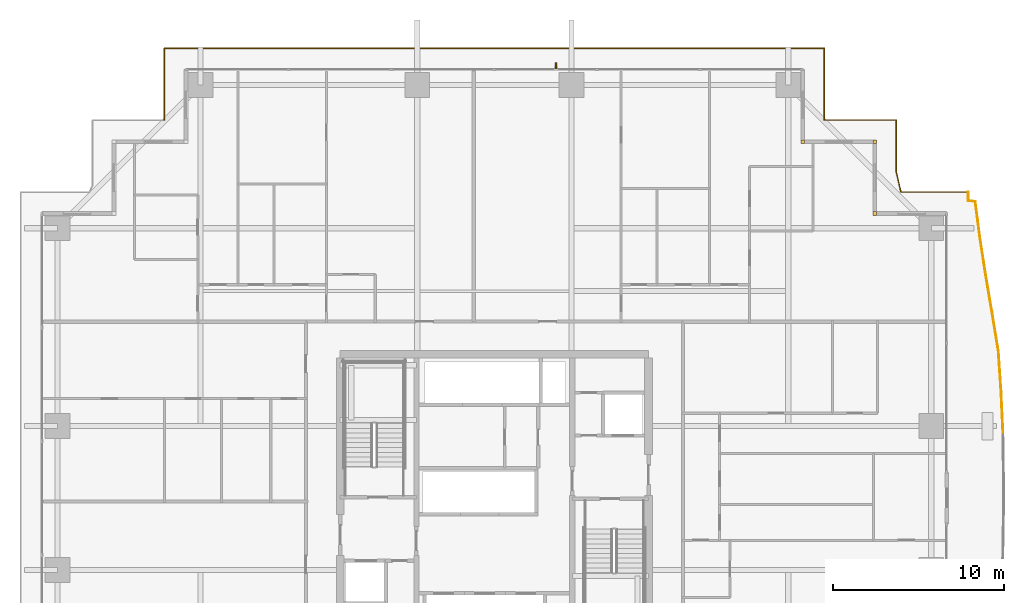
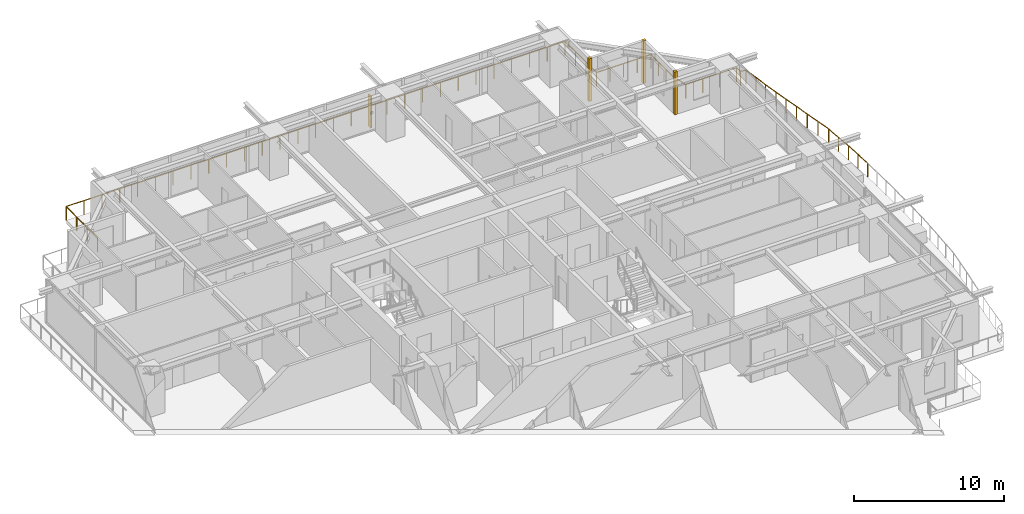
# One storey, part 39 of 39: 3 coverings, 2 railings, 1 shading device.
"""IFC4 building model written with IfcOpenShell, lengths in metres."""

from ifc_helpers import new_model, si_unit, direction, frame, origin, origin_2d, place, context, subcontext, project, spatial, rectangle, circle, extrude, source, transform, mapped, material, layer, layer_set, type_object, element, save


model = new_model("IFC4")

# Units and contexts
model_context = context("Model", 3, precision=1e-05, world=origin(), true_north=direction((0.0, 1.0)))
body_context = subcontext(model_context, "Body", "Model", "MODEL_VIEW")
ifc_project = project(units=[si_unit("LENGTHUNIT", "METRE"), si_unit("AREAUNIT", "SQUARE_METRE"), si_unit("VOLUMEUNIT", "CUBIC_METRE"), si_unit("PLANEANGLEUNIT", "RADIAN"), si_unit("MASSUNIT", "GRAM", prefix="KILO")], contexts=[model_context])

# Site, building, storey
site_placement = place(None, origin())
site = spatial("IfcSite", under=ifc_project, at=site_placement, CompositionType="ELEMENT")
building_placement = place(site_placement, origin())
building = spatial("IfcBuilding", under=site, at=building_placement, Name="Serunith Strait Residences", CompositionType="ELEMENT")
storey_placement = place(building_placement, frame((0.0, 0.0, 64.199951171875)))
storey = spatial("IfcBuildingStorey", under=building, at=storey_placement, Name="L15", CompositionType="ELEMENT", Elevation=64.199951171875)

# Railings
ifc_material_1 = material(Name="Stainless Steel & Laminated Glass Balustrade", Category="steel")
railing_type = type_object("IfcRailingType", Name="RLG-BALC-1150", PredefinedType="BALUSTRADE", material=ifc_material_1)
railing_1_placement = place(storey_placement, frame((13.139892578125, 47.260009765625, -0.050048828125)))
element("IfcRailing", 1, at=railing_1_placement, inside=storey, type_object=railing_type, Name="L15 Swirling Balcony Perimeter Balustrade 2", PredefinedType="BALUSTRADE", context=body_context, shape_type="SweptSolid", body=[
    extrude(circle(Radius=0.02392578125, at=origin_2d()), frame((0.0, 0.001953125, 1.1259765625), z_axis=(0.0, 1.0, 0.0), x_axis=(-1.0, 0.0, 0.0)), (0.0, 0.0, 1.0), 4.196044921875),
    extrude(circle(Radius=0.02392578125, at=origin_2d()), frame((0.001953125, 4.199951171875, 1.1259765625), z_axis=(1.0, 0.0, 0.0), x_axis=(0.0, 1.0, 0.0)), (0.0, 0.0, 1.0), 38.51611328125),
    extrude(circle(Radius=0.02392578125, at=origin_2d()), frame((38.52001953125, 4.197998046875, 1.1259765625), z_axis=(0.0, -1.0, 0.0), x_axis=(1.0, 0.0, 0.0)), (0.0, 0.0, 1.0), 4.196044921875),
    extrude(circle(Radius=0.02392578125, at=origin_2d()), frame((38.52197265625, 0.0, 1.1259765625), z_axis=(1.0, 0.0, 0.0), x_axis=(0.0, 1.0, 0.0)), (0.0, 0.0, 1.0), 4.1962890625),
    extrude(circle(Radius=0.02392578125, at=origin_2d()), frame((42.72021484375, -0.001953125, 1.1259765625), z_axis=(0.0, -1.0, 0.0), x_axis=(1.0, 0.0, 0.0)), (0.0, 0.0, 1.0), 3.022216796875),
    extrude(circle(Radius=0.02392578125, at=origin_2d()), frame((42.720703125, -3.028076171875, 1.1259765625), z_axis=(0.223985974686, -0.974592367682, 0.0), x_axis=(0.974592367682, 0.223985974686, 0.0)), (0.0, 0.0, 1.0), 1.200439453125),
    extrude(circle(Radius=0.02392578125, at=origin_2d()), frame((42.991943359375, -4.199951171875, 1.1259765625), z_axis=(1.0, 0.0, 0.0), x_axis=(0.0, 1.0, 0.0)), (0.0, 0.0, 1.0), 3.92626953125),
    extrude(circle(Radius=0.02099609375, at=origin_2d()), origin(), (0.0, 0.0, 1.0), 1.099853515625),
    extrude(circle(Radius=0.02099609375, at=origin_2d()), frame((0.0, 1.39990234375, 0.0)), (0.0, 0.0, 1.0), 1.099853515625),
    extrude(circle(Radius=0.02099609375, at=origin_2d()), frame((0.0, 2.800048828125, 0.0)), (0.0, 0.0, 1.0), 1.099853515625),
    extrude(circle(Radius=0.02099609375, at=origin_2d()), frame((0.0, 4.199951171875, 0.0)), (0.0, 0.0, 1.0), 1.099853515625),
    extrude(circle(Radius=0.02099609375, at=origin_2d()), frame((1.375732421875, 4.199951171875, 0.0)), (0.0, 0.0, 1.0), 1.099853515625),
    extrude(circle(Radius=0.02099609375, at=origin_2d()), frame((2.75146484375, 4.199951171875, 0.0)), (0.0, 0.0, 1.0), 1.099853515625),
    extrude(circle(Radius=0.02099609375, at=origin_2d()), frame((4.127197265625, 4.199951171875, 0.0)), (0.0, 0.0, 1.0), 1.099853515625),
    extrude(circle(Radius=0.02099609375, at=origin_2d()), frame((5.5029296875, 4.199951171875, 0.0)), (0.0, 0.0, 1.0), 1.099853515625),
    extrude(circle(Radius=0.02099609375, at=origin_2d()), frame((6.878662109375, 4.199951171875, 0.0)), (0.0, 0.0, 1.0), 1.099853515625),
    extrude(circle(Radius=0.02099609375, at=origin_2d()), frame((8.25439453125, 4.199951171875, 0.0)), (0.0, 0.0, 1.0), 1.099853515625),
    extrude(circle(Radius=0.02099609375, at=origin_2d()), frame((9.6298828125, 4.199951171875, 0.0)), (0.0, 0.0, 1.0), 1.099853515625),
    extrude(circle(Radius=0.02099609375, at=origin_2d()), frame((11.005615234375, 4.199951171875, 0.0)), (0.0, 0.0, 1.0), 1.099853515625),
    extrude(circle(Radius=0.02099609375, at=origin_2d()), frame((12.38134765625, 4.199951171875, 0.0)), (0.0, 0.0, 1.0), 1.099853515625),
    extrude(circle(Radius=0.02099609375, at=origin_2d()), frame((13.757080078125, 4.199951171875, 0.0)), (0.0, 0.0, 1.0), 1.099853515625),
    extrude(circle(Radius=0.02099609375, at=origin_2d()), frame((15.1328125, 4.199951171875, 0.0)), (0.0, 0.0, 1.0), 1.099853515625),
    extrude(circle(Radius=0.02099609375, at=origin_2d()), frame((16.508544921875, 4.199951171875, 0.0)), (0.0, 0.0, 1.0), 1.099853515625),
    extrude(circle(Radius=0.02099609375, at=origin_2d()), frame((17.88427734375, 4.199951171875, 0.0)), (0.0, 0.0, 1.0), 1.099853515625),
    extrude(circle(Radius=0.02099609375, at=origin_2d()), frame((19.260009765625, 4.199951171875, 0.0)), (0.0, 0.0, 1.0), 1.099853515625),
    extrude(circle(Radius=0.02099609375, at=origin_2d()), frame((20.6357421875, 4.199951171875, 0.0)), (0.0, 0.0, 1.0), 1.099853515625),
    extrude(circle(Radius=0.02099609375, at=origin_2d()), frame((22.011474609375, 4.199951171875, 0.0)), (0.0, 0.0, 1.0), 1.099853515625),
    extrude(circle(Radius=0.02099609375, at=origin_2d()), frame((23.38720703125, 4.199951171875, 0.0)), (0.0, 0.0, 1.0), 1.099853515625),
    extrude(circle(Radius=0.02099609375, at=origin_2d()), frame((24.762939453125, 4.199951171875, 0.0)), (0.0, 0.0, 1.0), 1.099853515625),
    extrude(circle(Radius=0.02099609375, at=origin_2d()), frame((26.138671875, 4.199951171875, 0.0)), (0.0, 0.0, 1.0), 1.099853515625),
    extrude(circle(Radius=0.02099609375, at=origin_2d()), frame((27.514404296875, 4.199951171875, 0.0)), (0.0, 0.0, 1.0), 1.099853515625),
    extrude(circle(Radius=0.02099609375, at=origin_2d()), frame((28.89013671875, 4.199951171875, 0.0)), (0.0, 0.0, 1.0), 1.099853515625),
    extrude(circle(Radius=0.02099609375, at=origin_2d()), frame((30.265625, 4.199951171875, 0.0)), (0.0, 0.0, 1.0), 1.099853515625),
    extrude(circle(Radius=0.02099609375, at=origin_2d()), frame((31.641357421875, 4.199951171875, 0.0)), (0.0, 0.0, 1.0), 1.099853515625),
    extrude(circle(Radius=0.02099609375, at=origin_2d()), frame((33.01708984375, 4.199951171875, 0.0)), (0.0, 0.0, 1.0), 1.099853515625),
    extrude(circle(Radius=0.02099609375, at=origin_2d()), frame((34.392822265625, 4.199951171875, 0.0)), (0.0, 0.0, 1.0), 1.099853515625),
    extrude(circle(Radius=0.02099609375, at=origin_2d()), frame((35.7685546875, 4.199951171875, 0.0)), (0.0, 0.0, 1.0), 1.099853515625),
    extrude(circle(Radius=0.02099609375, at=origin_2d()), frame((37.144287109375, 4.199951171875, 0.0)), (0.0, 0.0, 1.0), 1.099853515625),
    extrude(circle(Radius=0.02099609375, at=origin_2d()), frame((38.52001953125, 4.199951171875, 0.0)), (0.0, 0.0, 1.0), 1.099853515625),
    extrude(circle(Radius=0.02099609375, at=origin_2d()), frame((38.52001953125, 2.800048828125, 0.0)), (0.0, 0.0, 1.0), 1.099853515625),
    extrude(circle(Radius=0.02099609375, at=origin_2d()), frame((38.52001953125, 1.39990234375, 0.0)), (0.0, 0.0, 1.0), 1.099853515625),
    extrude(circle(Radius=0.02099609375, at=origin_2d()), frame((38.52001953125, 0.0, 0.0)), (0.0, 0.0, 1.0), 1.099853515625),
    extrude(circle(Radius=0.02099609375, at=origin_2d()), frame((39.570068359375, 0.0, 0.0)), (0.0, 0.0, 1.0), 1.099853515625),
    extrude(circle(Radius=0.02099609375, at=origin_2d()), frame((40.6201171875, 0.0, 0.0)), (0.0, 0.0, 1.0), 1.099853515625),
    extrude(circle(Radius=0.02099609375, at=origin_2d()), frame((41.670166015625, 0.0, 0.0)), (0.0, 0.0, 1.0), 1.099853515625),
    extrude(circle(Radius=0.02099609375, at=origin_2d()), frame((42.72021484375, 0.0, 0.0)), (0.0, 0.0, 1.0), 1.099853515625),
    extrude(circle(Radius=0.02099609375, at=origin_2d()), frame((42.72021484375, -1.0087890625, 0.0)), (0.0, 0.0, 1.0), 1.099853515625),
    extrude(circle(Radius=0.02099609375, at=origin_2d()), frame((42.72021484375, -2.017333984375, 0.0)), (0.0, 0.0, 1.0), 1.099853515625),
    extrude(circle(Radius=0.02099609375, at=origin_2d()), frame((42.72021484375, -3.026123046875, 0.0)), (0.0, 0.0, 1.0), 1.099853515625),
    extrude(circle(Radius=0.02099609375, at=origin_2d()), frame((42.989990234375, -4.199951171875, 0.0)), (0.0, 0.0, 1.0), 1.099853515625),
    extrude(circle(Radius=0.02099609375, at=origin_2d()), frame((44.300048828125, -4.199951171875, 0.0)), (0.0, 0.0, 1.0), 1.099853515625),
    extrude(circle(Radius=0.02099609375, at=origin_2d()), frame((45.610107421875, -4.199951171875, 0.0)), (0.0, 0.0, 1.0), 1.099853515625),
    extrude(circle(Radius=0.02099609375, at=origin_2d()), frame((46.920166015625, -4.199951171875, 0.0)), (0.0, 0.0, 1.0), 1.099853515625),
])
railing_2_placement = place(storey_placement, frame((60.06005859375, 43.06005859375, -0.050048828125)))
element("IfcRailing", 2, at=railing_2_placement, inside=storey, type_object=railing_type, Name="L15 Swirling Balcony Perimeter Balustrade 3", PredefinedType="BALUSTRADE", context=body_context, shape_type="SweptSolid", body=[
    extrude(circle(Radius=0.02392578125, at=origin_2d()), frame((0.0, -0.001953125, 1.1259765625), z_axis=(0.0, -1.0, 0.0), x_axis=(1.0, 0.0, 0.0)), (0.0, 0.0, 1.0), 0.49658203125),
    extrude(circle(Radius=0.02392578125, at=origin_2d()), frame((0.001953125, -0.500732421875, 1.1259765625), z_axis=(0.987473799086, -0.15778306664, 0.0), x_axis=(0.15778306664, 0.987473799086, 0.0)), (0.0, 0.0, 1.0), 0.4091796875),
    extrude(circle(Radius=0.02392578125, at=origin_2d()), frame((0.408203125, -0.567626953125, 1.1259765625), z_axis=(0.130277915517, -0.991477515997, 0.0), x_axis=(0.991477515997, 0.130277915517, 0.0)), (0.0, 0.0, 1.0), 2.141845703125),
    extrude(circle(Radius=0.02392578125, at=origin_2d()), frame((0.687744140625, -2.695068359375, 1.1259765625), z_axis=(0.152352458066, -0.988326225758, 0.0), x_axis=(0.988326225758, 0.152352458066, 0.0)), (0.0, 0.0, 1.0), 2.170654296875),
    extrude(circle(Radius=0.02392578125, at=origin_2d()), frame((1.01904296875, -4.84423828125, 1.1259765625), z_axis=(0.167305767134, -0.985905056425, 0.0), x_axis=(0.985905056425, 0.167305767134, 0.0)), (0.0, 0.0, 1.0), 2.215576171875),
    extrude(circle(Radius=0.02392578125, at=origin_2d()), frame((1.390380859375, -7.032470703125, 1.1259765625), z_axis=(0.161653601072, -0.986847563335, 0.0), x_axis=(0.986847563335, 0.161653601072, 0.0)), (0.0, 0.0, 1.0), 2.27490234375),
    extrude(circle(Radius=0.02392578125, at=origin_2d()), frame((1.7587890625, -9.281494140625, 1.1259765625), z_axis=(0.066340411578, -0.997797048398, 0.0), x_axis=(0.997797048398, 0.066340411578, 0.0)), (0.0, 0.0, 1.0), 2.35498046875),
    extrude(circle(Radius=0.02392578125, at=origin_2d()), frame((1.9150390625, -11.63525390625, 1.1259765625), z_axis=(0.047147265757, -0.998887949338, 0.0), x_axis=(0.998887949338, 0.047147265757, 0.0)), (0.0, 0.0, 1.0), 2.383056640625),
    extrude(circle(Radius=0.02099609375, at=origin_2d()), origin(), (0.0, 0.0, 1.0), 1.099853515625),
    extrude(circle(Radius=0.02099609375, at=origin_2d()), frame((0.0, -0.50048828125, 0.0)), (0.0, 0.0, 1.0), 1.099853515625),
    extrude(circle(Radius=0.02099609375, at=origin_2d()), frame((0.407958984375, -0.565673828125, 0.0)), (0.0, 0.0, 1.0), 1.099853515625),
    extrude(circle(Radius=0.02099609375, at=origin_2d()), frame((0.5478515625, -1.62939453125, 0.0)), (0.0, 0.0, 1.0), 1.099853515625),
    extrude(circle(Radius=0.02099609375, at=origin_2d()), frame((0.6875, -2.693115234375, 0.0)), (0.0, 0.0, 1.0), 1.099853515625),
    extrude(circle(Radius=0.02099609375, at=origin_2d()), frame((0.85302734375, -3.767578125, 0.0)), (0.0, 0.0, 1.0), 1.099853515625),
    extrude(circle(Radius=0.02099609375, at=origin_2d()), frame((1.018798828125, -4.84228515625, 0.0)), (0.0, 0.0, 1.0), 1.099853515625),
    extrude(circle(Radius=0.02099609375, at=origin_2d()), frame((1.20458984375, -5.9365234375, 0.0)), (0.0, 0.0, 1.0), 1.099853515625),
    extrude(circle(Radius=0.02099609375, at=origin_2d()), frame((1.39013671875, -7.030517578125, 0.0)), (0.0, 0.0, 1.0), 1.099853515625),
    extrude(circle(Radius=0.02099609375, at=origin_2d()), frame((1.57421875, -8.155029296875, 0.0)), (0.0, 0.0, 1.0), 1.099853515625),
    extrude(circle(Radius=0.02099609375, at=origin_2d()), frame((1.758544921875, -9.279541015625, 0.0)), (0.0, 0.0, 1.0), 1.099853515625),
    extrude(circle(Radius=0.02099609375, at=origin_2d()), frame((1.8369140625, -10.45654296875, 0.0)), (0.0, 0.0, 1.0), 1.099853515625),
    extrude(circle(Radius=0.02099609375, at=origin_2d()), frame((1.9150390625, -11.63330078125, 0.0)), (0.0, 0.0, 1.0), 1.099853515625),
    extrude(circle(Radius=0.02099609375, at=origin_2d()), frame((1.97119140625, -12.82568359375, 0.0)), (0.0, 0.0, 1.0), 1.099853515625),
    extrude(circle(Radius=0.02099609375, at=origin_2d()), frame((2.027587890625, -14.017822265625, 0.0)), (0.0, 0.0, 1.0), 1.099853515625),
])

# Coverings
ifc_material_2 = material(Name="Pale-Champagne Anodised Aluminium", Category="aluminium")
ifc_layer = layer(ifc_material_2, 0.219970703125, Name="Pale-Champagne Anodised Aluminium")
ifc_layer_set = layer_set([ifc_layer], Name="Pale-Champagne Anodised Aluminium")
covering_type = type_object("IfcCoveringType", Name="COV-CORN-TRIM", PredefinedType="CLADDING", material=ifc_layer_set)
shared_shape_1 = source(origin(), body_context, "Body", "SweptSolid", [
    extrude(rectangle(XDim=0.221923828125, YDim=0.221923828125, at=origin_2d()), origin(), (0.0, 0.0, 1.0), 3.47509765625),
])
for number, where, z_axis, x_axis, name in (
    (3, (54.60009765625, 41.800048828125, 0.0), (0.0, 0.0, 1.0), (1.0, 0.0, 0.0), "L15 Girih Serrated Corner Trim Post 07"),
    (4, (54.60009765625, 46.0, 0.0), (0.0, 0.0, 1.0), (1.0, 0.0, 0.0), "L15 Girih Serrated Corner Trim Post 08"),
    (5, (50.39990234375, 46.0, 0.0), (0.0, 0.0, 1.0), (1.0, 0.0, 0.0), "L15 Girih Serrated Corner Trim Post 09"),
):
    element("IfcCovering", number, at=place(storey_placement, frame(where, z_axis=z_axis, x_axis=x_axis)), inside=storey, type_object=covering_type, Name=name, PredefinedType="CLADDING", context=body_context, shape_type="MappedRepresentation", body=[
        mapped(shared_shape_1, transform((0.0, 0.0, 0.0), scale=1.0)),
    ])

# Shading device
ifc_material_3 = material(Name="Pale-Champagne Perforated Aluminium Fin", Category="aluminium")
shading_device_type = type_object("IfcShadingDeviceType", Name="SHD-DIAG-FIN", PredefinedType="AWNING", material=ifc_material_3)
shared_shape_2 = source(origin(), body_context, "Body", "SweptSolid", [
    extrude(rectangle(XDim=0.080078125, YDim=0.35009765625, at=origin_2d()), origin(), (0.0, 0.0, 1.0), 2.60009765625),
])
shading_device_placement = place(storey_placement, frame((36.0, 50.419921875, 0.199951171875), z_axis=(0.0, 0.0, 1.0), x_axis=(1.0, 0.0, 0.0)))
element("IfcShadingDevice", 6, at=shading_device_placement, inside=storey, type_object=shading_device_type, Name="L15 Diagonal Rhythm Solar Fin N", PredefinedType="AWNING", context=body_context, shape_type="MappedRepresentation", body=[
    mapped(shared_shape_2, transform((0.0, 0.0, 0.0), scale=1.0)),
])

save(model, "model.ifc")
